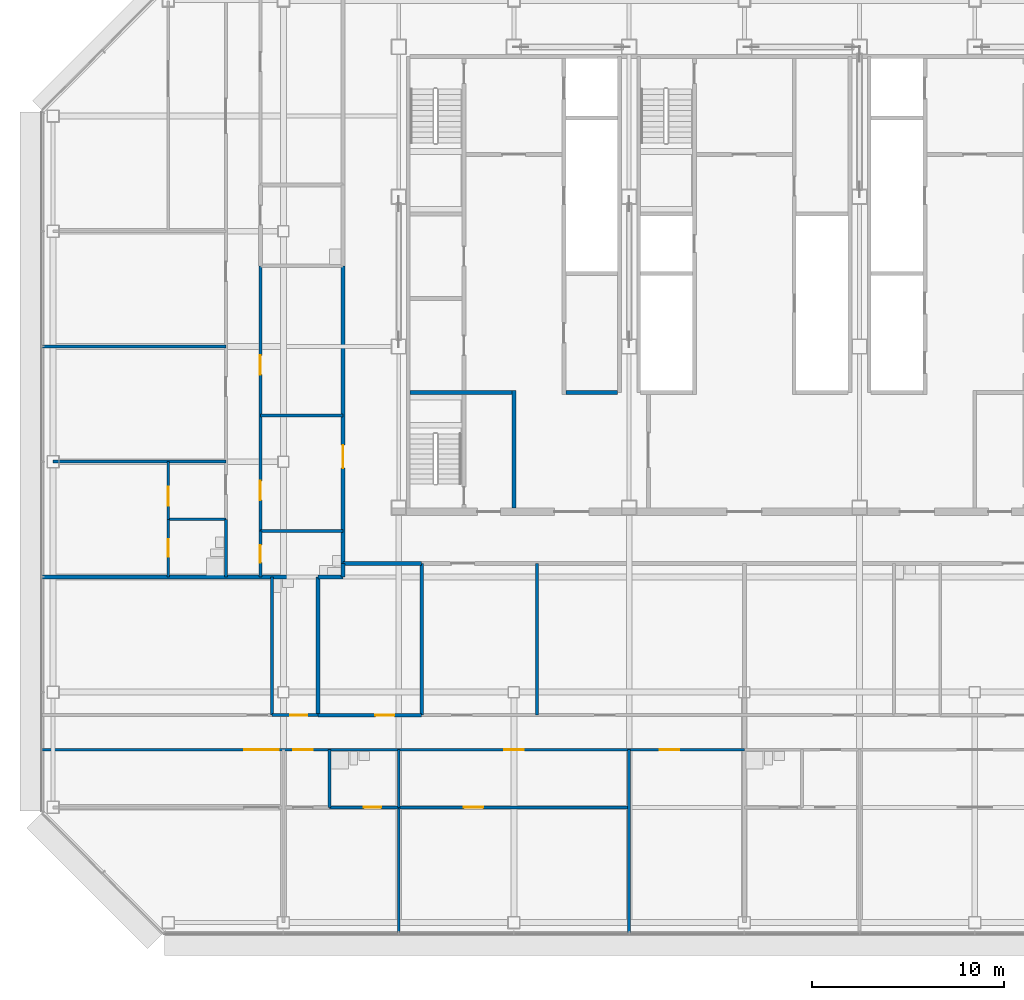
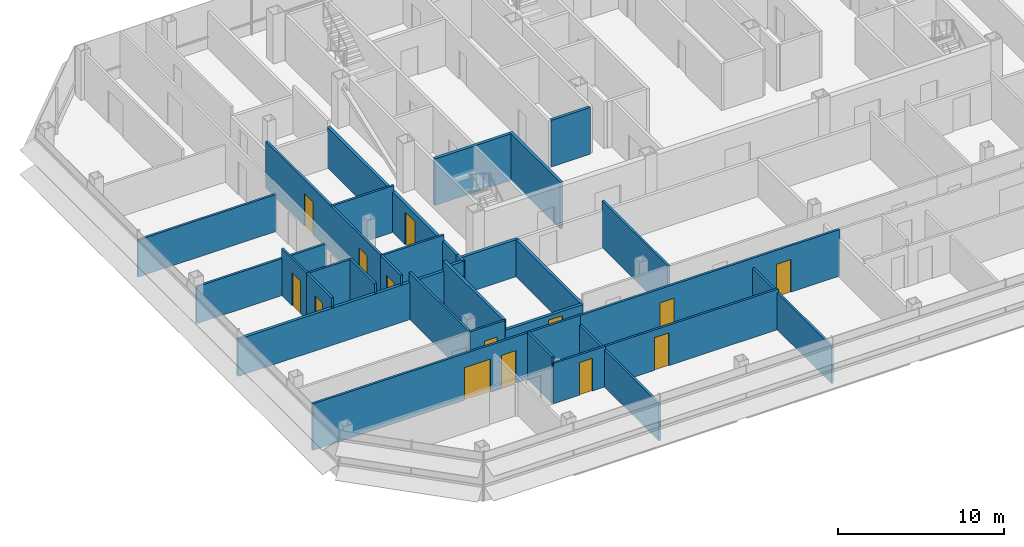
# One storey, part 20 of 26: 33 walls, 14 doors, 14 openings.
"""IFC4 building model written with IfcOpenShell, lengths in metres."""

from ifc_helpers import new_model, si_unit, direction, frame, frame_2d, origin, place, context, subcontext, project, spatial, rectangle, extrude, material, layer, layer_set, type_object, element, fill, save


model = new_model("IFC4")

# Units and contexts
model_context = context("Model", 3, precision=1e-05, world=origin(), true_north=direction((0.0, 1.0)))
body_context = subcontext(model_context, "Body", "Model", "MODEL_VIEW")
ifc_project = project(units=[si_unit("LENGTHUNIT", "METRE"), si_unit("AREAUNIT", "SQUARE_METRE"), si_unit("VOLUMEUNIT", "CUBIC_METRE"), si_unit("PLANEANGLEUNIT", "RADIAN"), si_unit("MASSUNIT", "GRAM", prefix="KILO")], contexts=[model_context])

# Site, building, storey
site_placement = place(None, origin())
site = spatial("IfcSite", under=ifc_project, at=site_placement, CompositionType="ELEMENT")
building_placement = place(site_placement, origin())
building = spatial("IfcBuilding", under=site, at=building_placement, Name="Sorahane Residences", CompositionType="ELEMENT")
storey_placement = place(building_placement, frame((0.0, 0.0, 215.39990234375)))
storey = spatial("IfcBuildingStorey", under=building, at=storey_placement, Name="L50", CompositionType="ELEMENT", Elevation=215.39990234375)

# Wall, opening, door
ifc_material_1 = material(Name="Concrete blockwork C20 wall", Category="masonry")
ifc_layer_1 = layer(ifc_material_1, 0.199951171875)
ifc_layer_set_1 = layer_set([ifc_layer_1], Name="Corridor wall 200 EI 120")
wall_type_1 = type_object("IfcWallType", Name="Corridor wall 200 EI 120", PredefinedType="SOLIDWALL", material=ifc_layer_set_1)
wall_1_placement = place(storey_placement, frame((3.10009765625, 18.699951171875, 0.0), z_axis=(0.0, 0.0, 1.0), x_axis=(0.0, 1.0, 0.0)))
wall_1 = element("IfcWall", 1, at=wall_1_placement, inside=storey, type_object=wall_type_1, Name="L50 corridor wall", PredefinedType="SOLIDWALL", context=body_context, shape_type="SweptSolid", body=[
    extrude(rectangle(XDim=15.5, YDim=0.199951171875, at=frame_2d((7.75, 0.0))), origin(), (0.0, 0.0, 1.0), 2.97021484375),
])
opening_1_placement = place(wall_1_placement, frame((4.9599609375, 0.0, 0.0)))
opening_1 = element("IfcOpeningElement", 2, at=opening_1_placement, cuts=wall_1, Name="Opening L50-40", PredefinedType="OPENING", context=body_context, shape_type="SweptSolid", body=[
    extrude(rectangle(XDim=1.199951171875, YDim=2.39990234375, at=frame_2d((0.60009765625, 1.199951171875))), frame((0.0, 0.10986328125, 0.0), z_axis=(0.0, -1.0, 0.0), x_axis=(1.0, 0.0, 0.0)), (0.0, 0.0, 1.0), 0.219970703125),
])
ifc_material_2 = material(Name="Timber veneered fire door", Category="wood")
door_type_1 = type_object("IfcDoorType", Name="Flat entrance door 1200x2400 FD60", OperationType="NOTDEFINED", PredefinedType="DOOR", material=ifc_material_2)
door_1_placement = place(opening_1_placement, origin())
door_1 = element("IfcDoor", 3, at=door_1_placement, inside=storey, type_object=door_type_1, Name="Flat entrance door L50-40", OperationType="SINGLE_SWING_LEFT", OverallHeight=2.39990234375, OverallWidth=1.199951171875, PredefinedType="DOOR", context=body_context, shape_type="SweptSolid", body=[
    extrude(rectangle(XDim=1.199951171875, YDim=2.39990234375, at=frame_2d((0.60009765625, 1.199951171875))), frame((0.0, 0.02490234375, 0.0), z_axis=(0.0, -1.0, 0.0), x_axis=(1.0, 0.0, 0.0)), (0.0, 0.0, 1.0), 0.050048828125),
])
fill(opening_1, door_1)

# Walls
ifc_material_3 = material(Name="Concrete C30", Category="concrete")
ifc_layer_2 = layer(ifc_material_3, 0.199951171875)
ifc_layer_set_2 = layer_set([ifc_layer_2], Name="Front room wall 200 EI 120")
wall_type_2 = type_object("IfcWallType", Name="Front room wall 200 EI 120", PredefinedType="PARTITIONING", material=ifc_layer_set_2)
wall_2_placement = place(storey_placement, frame((12.0, 21.60009765625, 0.0), z_axis=(0.0, 0.0, 1.0), x_axis=(0.0, 1.0, 0.0)))
element("IfcWall", 4, at=wall_2_placement, inside=storey, type_object=wall_type_2, Name="L50 front room wall", PredefinedType="PARTITIONING", context=body_context, shape_type="SweptSolid", body=[
    extrude(rectangle(XDim=6.099853515625, YDim=0.199951171875, at=frame_2d((3.0498046875, 0.0))), origin(), (0.0, 0.0, 1.0), 3.420166015625),
])
ifc_material_4 = material(Name="Concrete blockwork C20 wall", Category="masonry")
ifc_layer_3 = layer(ifc_material_4, 0.199951171875)
ifc_layer_set_3 = layer_set([ifc_layer_3], Name="Kitchen wall 200 EI 180")
wall_type_3 = type_object("IfcWallType", Name="Kitchen wall 200 EI 180", PredefinedType="SOLIDWALL", material=ifc_layer_set_3)
wall_3_placement = place(storey_placement, frame((1.800048828125, 10.800048828125, 0.0), z_axis=(0.0, 0.0, 1.0), x_axis=(0.0, 1.0, 0.0)))
element("IfcWall", 5, at=wall_3_placement, inside=storey, type_object=wall_type_3, Name="L50 kitchen wall", PredefinedType="SOLIDWALL", context=body_context, shape_type="SweptSolid", body=[
    extrude(rectangle(XDim=7.199951171875, YDim=0.199951171875, at=frame_2d((3.60009765625, 0.0))), origin(), (0.0, 0.0, 1.0), 3.420166015625),
])
wall_4_placement = place(storey_placement, frame((3.10009765625, 18.0, 0.0), z_axis=(0.0, 0.0, 1.0), x_axis=(0.0, 1.0, 0.0)))
element("IfcWall", 6, at=wall_4_placement, inside=storey, type_object=wall_type_3, Name="L50 kitchen wall", PredefinedType="SOLIDWALL", context=body_context, shape_type="SweptSolid", body=[
    extrude(rectangle(XDim=0.699951171875, YDim=0.199951171875, at=frame_2d((0.35009765625, 0.0))), origin(), (0.0, 0.0, 1.0), 2.97021484375),
])
wall_5_placement = place(storey_placement, frame((7.199951171875, 10.800048828125, 0.0), z_axis=(0.0, 0.0, 1.0), x_axis=(0.0, 1.0, 0.0)))
element("IfcWall", 7, at=wall_5_placement, inside=storey, type_object=wall_type_3, Name="L50 kitchen wall", PredefinedType="SOLIDWALL", context=body_context, shape_type="SweptSolid", body=[
    extrude(rectangle(XDim=7.89990234375, YDim=0.199951171875, at=frame_2d((3.949951171875, 0.0))), origin(), (0.0, 0.0, 1.0), 2.72021484375),
])

# Wall, opening, door
wall_6_placement = place(storey_placement, frame((1.800048828125, 10.800048828125, 0.0), z_axis=(0.0, 0.0, 1.0), x_axis=(1.0, 0.0, 0.0)))
wall_6 = element("IfcWall", 8, at=wall_6_placement, inside=storey, type_object=wall_type_3, Name="L50 kitchen wall", PredefinedType="SOLIDWALL", context=body_context, shape_type="SweptSolid", body=[
    extrude(rectangle(XDim=5.39990234375, YDim=0.199951171875, at=frame_2d((2.699951171875, 0.0))), origin(), (0.0, 0.0, 1.0), 2.72021484375),
])
opening_2_placement = place(wall_6_placement, frame((2.97998046875, 0.0, 0.0)))
opening_2 = element("IfcOpeningElement", 9, at=opening_2_placement, cuts=wall_6, Name="Opening L50-04", PredefinedType="OPENING", context=body_context, shape_type="SweptSolid", body=[
    extrude(rectangle(XDim=1.0, YDim=2.39990234375, at=frame_2d((0.5, 1.199951171875))), frame((0.0, 0.10986328125, 0.0), z_axis=(0.0, -1.0, 0.0), x_axis=(1.0, 0.0, 0.0)), (0.0, 0.0, 1.0), 0.219970703125),
])
ifc_material_5 = material(Name="Steel", Category="steel")
door_type_2 = type_object("IfcDoorType", Name="Kitchen door 1000x2400 FD120", OperationType="NOTDEFINED", PredefinedType="DOOR", material=ifc_material_5)
door_2_placement = place(opening_2_placement, origin())
door_2 = element("IfcDoor", 10, at=door_2_placement, inside=storey, type_object=door_type_2, Name="Kitchen door L50-04", OperationType="SINGLE_SWING_RIGHT", OverallHeight=2.39990234375, OverallWidth=1.0, PredefinedType="DOOR", context=body_context, shape_type="SweptSolid", body=[
    extrude(rectangle(XDim=1.0, YDim=2.39990234375, at=frame_2d((0.5, 1.199951171875))), frame((0.0, 0.02490234375, 0.0), z_axis=(0.0, -1.0, 0.0), x_axis=(1.0, 0.0, 0.0)), (0.0, 0.0, 1.0), 0.050048828125),
])
fill(opening_2, door_2)

# Walls
wall_7_placement = place(storey_placement, frame((1.800048828125, 18.0, 0.0), z_axis=(0.0, 0.0, 1.0), x_axis=(1.0, 0.0, 0.0)))
element("IfcWall", 11, at=wall_7_placement, inside=storey, type_object=wall_type_3, Name="L50 kitchen wall", PredefinedType="SOLIDWALL", context=body_context, shape_type="SweptSolid", body=[
    extrude(rectangle(XDim=1.300048828125, YDim=0.199951171875, at=frame_2d((0.64990234375, 0.0))), origin(), (0.0, 0.0, 1.0), 2.97021484375),
])
wall_8_placement = place(storey_placement, frame((3.10009765625, 18.699951171875, 0.0), z_axis=(0.0, 0.0, 1.0), x_axis=(1.0, 0.0, 0.0)))
element("IfcWall", 12, at=wall_8_placement, inside=storey, type_object=wall_type_3, Name="L50 kitchen wall", PredefinedType="SOLIDWALL", context=body_context, shape_type="SweptSolid", body=[
    extrude(rectangle(XDim=4.099853515625, YDim=0.199951171875, at=frame_2d((2.0498046875, 0.0))), origin(), (0.0, 0.0, 1.0), 2.72021484375),
])

# Wall, openings, doors
ifc_material_6 = material(Name="Gypsum board partition on steel studs", Category="steel")
ifc_layer_4 = layer(ifc_material_6, 0.14990234375)
ifc_layer_set_4 = layer_set([ifc_layer_4], Name="Partition 150 EI 90")
wall_type_4 = type_object("IfcWallType", Name="Partition 150 EI 90", PredefinedType="PARTITIONING", material=ifc_layer_set_4)
wall_9_placement = place(storey_placement, frame((-1.199951171875, 20.39990234375, 0.0), z_axis=(0.0, 0.0, 1.0), x_axis=(0.0, 1.0, 0.0)))
wall_9 = element("IfcWall", 13, at=wall_9_placement, inside=storey, type_object=wall_type_4, Name="L50 partition", PredefinedType="PARTITIONING", context=body_context, shape_type="SweptSolid", body=[
    extrude(rectangle(XDim=13.800048828125, YDim=0.14990234375, at=frame_2d((6.89990234375, 0.0))), origin(), (0.0, 0.0, 1.0), 3.420166015625),
])
opening_3_placement = place(wall_9_placement, frame((1.60009765625, 0.0, 0.0)))
opening_3 = element("IfcOpeningElement", 14, at=opening_3_placement, cuts=wall_9, Name="Opening L50-26", PredefinedType="OPENING", context=body_context, shape_type="SweptSolid", body=[
    extrude(rectangle(XDim=1.0, YDim=2.39990234375, at=frame_2d((0.5, 1.199951171875))), frame((0.0, 0.0849609375, 0.0), z_axis=(0.0, -1.0, 0.0), x_axis=(1.0, 0.0, 0.0)), (0.0, 0.0, 1.0), 0.169921875),
])
opening_4_placement = place(wall_9_placement, frame((8.139892578125, 0.0, 0.0)))
opening_4 = element("IfcOpeningElement", 15, at=opening_4_placement, cuts=wall_9, Name="Opening L50-28", PredefinedType="OPENING", context=body_context, shape_type="SweptSolid", body=[
    extrude(rectangle(XDim=1.0, YDim=2.39990234375, at=frame_2d((0.5, 1.199951171875))), frame((0.0, 0.0849609375, 0.0), z_axis=(0.0, -1.0, 0.0), x_axis=(1.0, 0.0, 0.0)), (0.0, 0.0, 1.0), 0.169921875),
])
ifc_material_7 = material(Name="Timber veneered fire door", Category="wood")
door_type_3 = type_object("IfcDoorType", Name="Room door 1000x2400 FD30", OperationType="NOTDEFINED", PredefinedType="DOOR", material=ifc_material_7)
door_3_placement = place(opening_3_placement, origin())
door_3 = element("IfcDoor", 16, at=door_3_placement, inside=storey, type_object=door_type_3, Name="Room door L50-26", OperationType="SINGLE_SWING_RIGHT", OverallHeight=2.39990234375, OverallWidth=1.0, PredefinedType="DOOR", context=body_context, shape_type="SweptSolid", body=[
    extrude(rectangle(XDim=1.0, YDim=2.39990234375, at=frame_2d((0.5, 1.199951171875))), frame((0.0, 0.02490234375, 0.0), z_axis=(0.0, -1.0, 0.0), x_axis=(1.0, 0.0, 0.0)), (0.0, 0.0, 1.0), 0.050048828125),
])
fill(opening_3, door_3)
door_4_placement = place(opening_4_placement, frame((1.0, 0.0, 0.0), z_axis=(0.0, 0.0, 1.0), x_axis=(-1.0, 0.0, 0.0)))
door_4 = element("IfcDoor", 17, at=door_4_placement, inside=storey, type_object=door_type_3, Name="Room door L50-28", OperationType="SINGLE_SWING_RIGHT", OverallHeight=2.39990234375, OverallWidth=1.0, PredefinedType="DOOR", context=body_context, shape_type="SweptSolid", body=[
    extrude(rectangle(XDim=1.0, YDim=2.39990234375, at=frame_2d((0.5, 1.199951171875))), frame((0.0, 0.02490234375, 0.0), z_axis=(0.0, -1.0, 0.0), x_axis=(1.0, 0.0, 0.0)), (0.0, 0.0, 1.0), 0.050048828125),
])
fill(opening_4, door_4)

# Wall, opening, door
wall_10_placement = place(storey_placement, frame((-6.0, 21.0, 0.0), z_axis=(0.0, 0.0, 1.0), x_axis=(0.0, 1.0, 0.0)))
wall_10 = element("IfcWall", 18, at=wall_10_placement, inside=storey, type_object=wall_type_4, Name="L50 partition", PredefinedType="PARTITIONING", context=body_context, shape_type="SweptSolid", body=[
    extrude(rectangle(XDim=3.0, YDim=0.14990234375, at=frame_2d((1.5, 0.0))), origin(), (0.0, 0.0, 1.0), 3.420166015625),
])
opening_5_placement = place(wall_10_placement, frame((0.699951171875, 0.0, 0.0)))
opening_5 = element("IfcOpeningElement", 19, at=opening_5_placement, cuts=wall_10, Name="Opening L50-35", PredefinedType="OPENING", context=body_context, shape_type="SweptSolid", body=[
    extrude(rectangle(XDim=1.0, YDim=2.39990234375, at=frame_2d((0.5, 1.199951171875))), frame((0.0, 0.0849609375, 0.0), z_axis=(0.0, -1.0, 0.0), x_axis=(1.0, 0.0, 0.0)), (0.0, 0.0, 1.0), 0.169921875),
])
door_5_placement = place(opening_5_placement, origin())
door_5 = element("IfcDoor", 20, at=door_5_placement, inside=storey, type_object=door_type_3, Name="Room door L50-35", OperationType="SINGLE_SWING_RIGHT", OverallHeight=2.39990234375, OverallWidth=1.0, PredefinedType="DOOR", context=body_context, shape_type="SweptSolid", body=[
    extrude(rectangle(XDim=1.0, YDim=2.39990234375, at=frame_2d((0.5, 1.199951171875))), frame((0.0, 0.02490234375, 0.0), z_axis=(0.0, -1.0, 0.0), x_axis=(1.0, 0.0, 0.0)), (0.0, 0.0, 1.0), 0.050048828125),
])
fill(opening_5, door_5)

# Walls
wall_11_placement = place(storey_placement, frame((13.199951171875, 10.800048828125, 0.0), z_axis=(0.0, 0.0, 1.0), x_axis=(0.0, 1.0, 0.0)))
element("IfcWall", 21, at=wall_11_placement, inside=storey, type_object=wall_type_4, Name="L50 partition", PredefinedType="PARTITIONING", context=body_context, shape_type="SweptSolid", body=[
    extrude(rectangle(XDim=7.89990234375, YDim=0.14990234375, at=frame_2d((3.949951171875, 0.0))), origin(), (0.0, 0.0, 1.0), 3.420166015625),
])
wall_12_placement = place(storey_placement, frame((18.0, -0.60009765625, 0.0), z_axis=(0.0, 0.0, 1.0), x_axis=(0.0, 1.0, 0.0)))
element("IfcWall", 22, at=wall_12_placement, inside=storey, type_object=wall_type_4, Name="L50 partition", PredefinedType="PARTITIONING", context=body_context, shape_type="SweptSolid", body=[
    extrude(rectangle(XDim=9.60009765625, YDim=0.14990234375, at=frame_2d((4.800048828125, 0.0))), origin(), (0.0, 0.0, 1.0), 2.72021484375),
])
wall_13_placement = place(storey_placement, frame((6.0, -0.60009765625, 0.0), z_axis=(0.0, 0.0, 1.0), x_axis=(0.0, 1.0, 0.0)))
element("IfcWall", 23, at=wall_13_placement, inside=storey, type_object=wall_type_4, Name="L50 partition", PredefinedType="PARTITIONING", context=body_context, shape_type="SweptSolid", body=[
    extrude(rectangle(XDim=6.60009765625, YDim=0.14990234375, at=frame_2d((3.300048828125, 0.0))), origin(), (0.0, 0.0, 1.0), 2.72021484375),
])
wall_14_placement = place(storey_placement, frame((-12.0, 24.0, 0.0), z_axis=(0.0, 0.0, 1.0), x_axis=(1.0, 0.0, 0.0)))
element("IfcWall", 24, at=wall_14_placement, inside=storey, type_object=wall_type_4, Name="L50 partition", PredefinedType="PARTITIONING", context=body_context, shape_type="SweptSolid", body=[
    extrude(rectangle(XDim=9.0, YDim=0.14990234375, at=frame_2d((4.5, 0.0))), origin(), (0.0, 0.0, 1.0), 2.72021484375),
])
wall_15_placement = place(storey_placement, frame((-1.199951171875, 26.39990234375, 0.0), z_axis=(0.0, 0.0, 1.0), x_axis=(1.0, 0.0, 0.0)))
element("IfcWall", 25, at=wall_15_placement, inside=storey, type_object=wall_type_4, Name="L50 partition", PredefinedType="PARTITIONING", context=body_context, shape_type="SweptSolid", body=[
    extrude(rectangle(XDim=4.300048828125, YDim=0.14990234375, at=frame_2d((2.14990234375, 0.0))), origin(), (0.0, 0.0, 1.0), 3.420166015625),
])
wall_16_placement = place(storey_placement, frame((-12.60009765625, 30.0, 0.0), z_axis=(0.0, 0.0, 1.0), x_axis=(1.0, 0.0, 0.0)))
element("IfcWall", 26, at=wall_16_placement, inside=storey, type_object=wall_type_4, Name="L50 partition", PredefinedType="PARTITIONING", context=body_context, shape_type="SweptSolid", body=[
    extrude(rectangle(XDim=9.60009765625, YDim=0.14990234375, at=frame_2d((4.800048828125, 0.0))), origin(), (0.0, 0.0, 1.0), 2.72021484375),
])

# Wall, opening, door
wall_17_placement = place(storey_placement, frame((6.0, 6.0, 0.0), z_axis=(0.0, 0.0, 1.0), x_axis=(1.0, 0.0, 0.0)))
wall_17 = element("IfcWall", 27, at=wall_17_placement, inside=storey, type_object=wall_type_4, Name="L50 partition", PredefinedType="PARTITIONING", context=body_context, shape_type="SweptSolid", body=[
    extrude(rectangle(XDim=12.0, YDim=0.14990234375, at=frame_2d((6.0, 0.0))), origin(), (0.0, 0.0, 1.0), 2.97021484375),
])
opening_6_placement = place(wall_17_placement, frame((3.39990234375, 0.0, 0.0)))
opening_6 = element("IfcOpeningElement", 28, at=opening_6_placement, cuts=wall_17, Name="Opening L50-13", PredefinedType="OPENING", context=body_context, shape_type="SweptSolid", body=[
    extrude(rectangle(XDim=1.0, YDim=2.39990234375, at=frame_2d((0.5, 1.199951171875))), frame((0.0, 0.0849609375, 0.0), z_axis=(0.0, -1.0, 0.0), x_axis=(1.0, 0.0, 0.0)), (0.0, 0.0, 1.0), 0.169921875),
])
door_6_placement = place(opening_6_placement, frame((1.0, 0.0, 0.0), z_axis=(0.0, 0.0, 1.0), x_axis=(-1.0, 0.0, 0.0)))
door_6 = element("IfcDoor", 29, at=door_6_placement, inside=storey, type_object=door_type_3, Name="Room door L50-13", OperationType="SINGLE_SWING_RIGHT", OverallHeight=2.39990234375, OverallWidth=1.0, PredefinedType="DOOR", context=body_context, shape_type="SweptSolid", body=[
    extrude(rectangle(XDim=1.0, YDim=2.39990234375, at=frame_2d((0.5, 1.199951171875))), frame((0.0, 0.02490234375, 0.0), z_axis=(0.0, -1.0, 0.0), x_axis=(1.0, 0.0, 0.0)), (0.0, 0.0, 1.0), 0.050048828125),
])
fill(opening_6, door_6)

# Wall, openings, doors
wall_18_placement = place(storey_placement, frame((-12.60009765625, 9.0, 0.0), z_axis=(0.0, 0.0, 1.0), x_axis=(1.0, 0.0, 0.0)))
wall_18 = element("IfcWall", 30, at=wall_18_placement, inside=storey, type_object=wall_type_4, Name="L50 partition", PredefinedType="PARTITIONING", context=body_context, shape_type="SweptSolid", body=[
    extrude(rectangle(XDim=15.0, YDim=0.14990234375, at=frame_2d((7.5, 0.0))), origin(), (0.0, 0.0, 1.0), 3.420166015625),
])
opening_7_placement = place(wall_18_placement, frame((10.550048828125, 0.0, 0.0)))
opening_7 = element("IfcOpeningElement", 31, at=opening_7_placement, cuts=wall_18, Name="Opening L50-06", PredefinedType="OPENING", context=body_context, shape_type="SweptSolid", body=[
    extrude(rectangle(XDim=1.800048828125, YDim=2.39990234375, at=frame_2d((0.89990234375, 1.199951171875))), frame((0.0, 0.0849609375, 0.0), z_axis=(0.0, -1.0, 0.0), x_axis=(1.0, 0.0, 0.0)), (0.0, 0.0, 1.0), 0.169921875),
])
opening_8_placement = place(wall_18_placement, frame((13.1201171875, 0.0, 0.0)))
opening_8 = element("IfcOpeningElement", 32, at=opening_8_placement, cuts=wall_18, Name="Opening L50-07", PredefinedType="OPENING", context=body_context, shape_type="SweptSolid", body=[
    extrude(rectangle(XDim=1.0, YDim=2.39990234375, at=frame_2d((0.5, 1.199951171875))), frame((0.0, 0.0849609375, 0.0), z_axis=(0.0, -1.0, 0.0), x_axis=(1.0, 0.0, 0.0)), (0.0, 0.0, 1.0), 0.169921875),
])
ifc_material_8 = material(Name="Timber veneered fire door", Category="wood")
door_type_4 = type_object("IfcDoorType", Name="Double door 1800x2400 FD30", OperationType="NOTDEFINED", PredefinedType="DOOR", material=ifc_material_8)
door_7_placement = place(opening_7_placement, frame((1.800048828125, 0.0, 0.0), z_axis=(0.0, 0.0, 1.0), x_axis=(-1.0, 0.0, 0.0)))
door_7 = element("IfcDoor", 33, at=door_7_placement, inside=storey, type_object=door_type_4, Name="Double door L50-06", OperationType="SINGLE_SWING_LEFT", OverallHeight=2.39990234375, OverallWidth=1.800048828125, PredefinedType="DOOR", context=body_context, shape_type="SweptSolid", body=[
    extrude(rectangle(XDim=1.800048828125, YDim=2.39990234375, at=frame_2d((0.89990234375, 1.199951171875))), frame((0.0, 0.02490234375, 0.0), z_axis=(0.0, -1.0, 0.0), x_axis=(1.0, 0.0, 0.0)), (0.0, 0.0, 1.0), 0.050048828125),
])
fill(opening_7, door_7)
door_8_placement = place(opening_8_placement, frame((1.0, 0.0, 0.0), z_axis=(0.0, 0.0, 1.0), x_axis=(-1.0, 0.0, 0.0)))
door_8 = element("IfcDoor", 34, at=door_8_placement, inside=storey, type_object=door_type_3, Name="Room door L50-07", OperationType="SINGLE_SWING_LEFT", OverallHeight=2.39990234375, OverallWidth=1.0, PredefinedType="DOOR", context=body_context, shape_type="SweptSolid", body=[
    extrude(rectangle(XDim=1.0, YDim=2.39990234375, at=frame_2d((0.5, 1.199951171875))), frame((0.0, 0.02490234375, 0.0), z_axis=(0.0, -1.0, 0.0), x_axis=(1.0, 0.0, 0.0)), (0.0, 0.0, 1.0), 0.050048828125),
])
fill(opening_8, door_8)

wall_19_placement = place(storey_placement, frame((6.0, 9.0, 0.0), z_axis=(0.0, 0.0, 1.0), x_axis=(1.0, 0.0, 0.0)))
wall_19 = element("IfcWall", 35, at=wall_19_placement, inside=storey, type_object=wall_type_4, Name="L50 partition", PredefinedType="PARTITIONING", context=body_context, shape_type="SweptSolid", body=[
    extrude(rectangle(XDim=18.0, YDim=0.14990234375, at=frame_2d((9.0, 0.0))), origin(), (0.0, 0.0, 1.0), 3.420166015625),
])
opening_9_placement = place(wall_19_placement, frame((5.5, 0.0, 0.0)))
opening_9 = element("IfcOpeningElement", 36, at=opening_9_placement, cuts=wall_19, Name="Opening L50-08", PredefinedType="OPENING", context=body_context, shape_type="SweptSolid", body=[
    extrude(rectangle(XDim=1.0, YDim=2.39990234375, at=frame_2d((0.5, 1.199951171875))), frame((0.0, 0.0849609375, 0.0), z_axis=(0.0, -1.0, 0.0), x_axis=(1.0, 0.0, 0.0)), (0.0, 0.0, 1.0), 0.169921875),
])
opening_10_placement = place(wall_19_placement, frame((13.60009765625, 0.0, 0.0)))
opening_10 = element("IfcOpeningElement", 37, at=opening_10_placement, cuts=wall_19, Name="Opening L50-09", PredefinedType="OPENING", context=body_context, shape_type="SweptSolid", body=[
    extrude(rectangle(XDim=1.0, YDim=2.39990234375, at=frame_2d((0.5, 1.199951171875))), frame((0.0, 0.0849609375, 0.0), z_axis=(0.0, -1.0, 0.0), x_axis=(1.0, 0.0, 0.0)), (0.0, 0.0, 1.0), 0.169921875),
])
door_9_placement = place(opening_9_placement, frame((1.0, 0.0, 0.0), z_axis=(0.0, 0.0, 1.0), x_axis=(-1.0, 0.0, 0.0)))
door_9 = element("IfcDoor", 38, at=door_9_placement, inside=storey, type_object=door_type_3, Name="Room door L50-08", OperationType="SINGLE_SWING_LEFT", OverallHeight=2.39990234375, OverallWidth=1.0, PredefinedType="DOOR", context=body_context, shape_type="SweptSolid", body=[
    extrude(rectangle(XDim=1.0, YDim=2.39990234375, at=frame_2d((0.5, 1.199951171875))), frame((0.0, 0.02490234375, 0.0), z_axis=(0.0, -1.0, 0.0), x_axis=(1.0, 0.0, 0.0)), (0.0, 0.0, 1.0), 0.050048828125),
])
fill(opening_9, door_9)
door_10_placement = place(opening_10_placement, frame((1.0, 0.0, 0.0), z_axis=(0.0, 0.0, 1.0), x_axis=(-1.0, 0.0, 0.0)))
door_10 = element("IfcDoor", 39, at=door_10_placement, inside=storey, type_object=door_type_3, Name="Room door L50-09", OperationType="SINGLE_SWING_LEFT", OverallHeight=2.39990234375, OverallWidth=1.0, PredefinedType="DOOR", context=body_context, shape_type="SweptSolid", body=[
    extrude(rectangle(XDim=1.0, YDim=2.39990234375, at=frame_2d((0.5, 1.199951171875))), frame((0.0, 0.02490234375, 0.0), z_axis=(0.0, -1.0, 0.0), x_axis=(1.0, 0.0, 0.0)), (0.0, 0.0, 1.0), 0.050048828125),
])
fill(opening_10, door_10)

# Walls
ifc_material_9 = material(Name="Concrete blockwork C20 wall", Category="masonry")
ifc_layer_5 = layer(ifc_material_9, 0.199951171875)
ifc_layer_set_5 = layer_set([ifc_layer_5], Name="Party wall 200 EI 120")
wall_type_5 = type_object("IfcWallType", Name="Party wall 200 EI 120", PredefinedType="SOLIDWALL", material=ifc_layer_set_5)
wall_20_placement = place(storey_placement, frame((-12.60009765625, 18.0, 0.0), z_axis=(0.0, 0.0, 1.0), x_axis=(1.0, 0.0, 0.0)))
element("IfcWall", 40, at=wall_20_placement, inside=storey, type_object=wall_type_5, Name="L50 party wall", PredefinedType="SOLIDWALL", context=body_context, shape_type="SweptSolid", body=[
    extrude(rectangle(XDim=14.400146484375, YDim=0.199951171875, at=frame_2d((7.2001953125, 0.0))), origin(), (0.0, 0.0, 1.0), 2.72021484375),
])
ifc_material_10 = material(Name="Concrete C30", Category="concrete")
ifc_layer_6 = layer(ifc_material_10, 0.199951171875)
ifc_layer_set_6 = layer_set([ifc_layer_6], Name="Service room partition 200 EI 60")
wall_type_6 = type_object("IfcWallType", Name="Service room partition 200 EI 60", PredefinedType="PARTITIONING", material=ifc_layer_set_6)
wall_21_placement = place(storey_placement, frame((14.699951171875, 27.60009765625, 0.0), z_axis=(0.0, 0.0, 1.0), x_axis=(1.0, 0.0, 0.0)))
element("IfcWall", 41, at=wall_21_placement, inside=storey, type_object=wall_type_6, Name="L50 service room wall", PredefinedType="PARTITIONING", context=body_context, shape_type="SweptSolid", body=[
    extrude(rectangle(XDim=2.699951171875, YDim=0.199951171875, at=frame_2d((1.35009765625, 0.0))), origin(), (0.0, 0.0, 1.0), 3.420166015625),
])
ifc_material_11 = material(Name="Concrete C30", Category="concrete")
ifc_layer_7 = layer(ifc_material_11, 0.199951171875)
ifc_layer_set_7 = layer_set([ifc_layer_7], Name="Stair enclosure wall 200 EI 120")
wall_type_7 = type_object("IfcWallType", Name="Stair enclosure wall 200 EI 120", PredefinedType="SOLIDWALL", material=ifc_layer_set_7)
wall_22_placement = place(storey_placement, frame((6.60009765625, 27.60009765625, 0.0), z_axis=(0.0, 0.0, 1.0), x_axis=(1.0, 0.0, 0.0)))
element("IfcWall", 42, at=wall_22_placement, inside=storey, type_object=wall_type_7, Name="L50 stair enclosure wall", PredefinedType="SOLIDWALL", context=body_context, shape_type="SweptSolid", body=[
    extrude(rectangle(XDim=5.2998046875, YDim=0.199951171875, at=frame_2d((2.64990234375, 0.0))), origin(), (0.0, 0.0, 1.0), 3.420166015625),
])
ifc_material_12 = material(Name="Gypsum board partition on steel studs", Category="steel")
ifc_layer_8 = layer(ifc_material_12, 0.14990234375)
ifc_layer_set_8 = layer_set([ifc_layer_8], Name="Wet wall 150 EI 90")
wall_type_8 = type_object("IfcWallType", Name="Wet wall 150 EI 90", PredefinedType="PARTITIONING", material=ifc_layer_set_8)
wall_23_placement = place(storey_placement, frame((-0.60009765625, 10.800048828125, 0.0), z_axis=(0.0, 0.0, 1.0), x_axis=(0.0, 1.0, 0.0)))
element("IfcWall", 43, at=wall_23_placement, inside=storey, type_object=wall_type_8, Name="L50 wet wall", PredefinedType="PARTITIONING", context=body_context, shape_type="SweptSolid", body=[
    extrude(rectangle(XDim=7.199951171875, YDim=0.14990234375, at=frame_2d((3.60009765625, 0.0))), origin(), (0.0, 0.0, 1.0), 3.420166015625),
])

# Wall, opening, door
wall_24_placement = place(storey_placement, frame((-1.199951171875, 18.0, 0.0), z_axis=(0.0, 0.0, 1.0), x_axis=(0.0, 1.0, 0.0)))
wall_24 = element("IfcWall", 44, at=wall_24_placement, inside=storey, type_object=wall_type_8, Name="L50 wet wall", PredefinedType="PARTITIONING", context=body_context, shape_type="SweptSolid", body=[
    extrude(rectangle(XDim=2.39990234375, YDim=0.14990234375, at=frame_2d((1.199951171875, 0.0))), origin(), (0.0, 0.0, 1.0), 3.420166015625),
])
opening_11_placement = place(wall_24_placement, frame((0.75, 0.0, 0.0)))
opening_11 = element("IfcOpeningElement", 45, at=opening_11_placement, cuts=wall_24, Name="Opening L50-27", PredefinedType="OPENING", context=body_context, shape_type="SweptSolid", body=[
    extrude(rectangle(XDim=0.89990234375, YDim=2.39990234375, at=frame_2d((0.449951171875, 1.199951171875))), frame((0.0, 0.0849609375, 0.0), z_axis=(0.0, -1.0, 0.0), x_axis=(1.0, 0.0, 0.0)), (0.0, 0.0, 1.0), 0.169921875),
])
ifc_material_13 = material(Name="Timber veneered fire door", Category="wood")
door_type_5 = type_object("IfcDoorType", Name="Bathroom door 900x2400 FD30", OperationType="NOTDEFINED", PredefinedType="DOOR", material=ifc_material_13)
door_11_placement = place(opening_11_placement, origin())
door_11 = element("IfcDoor", 46, at=door_11_placement, inside=storey, type_object=door_type_5, Name="Bathroom door L50-27", OperationType="SINGLE_SWING_RIGHT", OverallHeight=2.39990234375, OverallWidth=0.89990234375, PredefinedType="DOOR", context=body_context, shape_type="SweptSolid", body=[
    extrude(rectangle(XDim=0.89990234375, YDim=2.39990234375, at=frame_2d((0.449951171875, 1.199951171875))), frame((0.0, 0.02490234375, 0.0), z_axis=(0.0, -1.0, 0.0), x_axis=(1.0, 0.0, 0.0)), (0.0, 0.0, 1.0), 0.050048828125),
])
fill(opening_11, door_11)

# Wall
wall_25_placement = place(storey_placement, frame((-3.0, 18.0, 0.0), z_axis=(0.0, 0.0, 1.0), x_axis=(0.0, 1.0, 0.0)))
element("IfcWall", 47, at=wall_25_placement, inside=storey, type_object=wall_type_8, Name="L50 wet wall", PredefinedType="PARTITIONING", context=body_context, shape_type="SweptSolid", body=[
    extrude(rectangle(XDim=3.0, YDim=0.14990234375, at=frame_2d((1.5, 0.0))), origin(), (0.0, 0.0, 1.0), 3.420166015625),
])

# Wall, opening, door
wall_26_placement = place(storey_placement, frame((-6.0, 18.0, 0.0), z_axis=(0.0, 0.0, 1.0), x_axis=(0.0, 1.0, 0.0)))
wall_26 = element("IfcWall", 48, at=wall_26_placement, inside=storey, type_object=wall_type_8, Name="L50 wet wall", PredefinedType="PARTITIONING", context=body_context, shape_type="SweptSolid", body=[
    extrude(rectangle(XDim=3.0, YDim=0.14990234375, at=frame_2d((1.5, 0.0))), origin(), (0.0, 0.0, 1.0), 3.420166015625),
])
opening_12_placement = place(wall_26_placement, frame((1.050048828125, 0.0, 0.0)))
opening_12 = element("IfcOpeningElement", 49, at=opening_12_placement, cuts=wall_26, Name="Opening L50-36", PredefinedType="OPENING", context=body_context, shape_type="SweptSolid", body=[
    extrude(rectangle(XDim=0.89990234375, YDim=2.39990234375, at=frame_2d((0.449951171875, 1.199951171875))), frame((0.0, 0.0849609375, 0.0), z_axis=(0.0, -1.0, 0.0), x_axis=(1.0, 0.0, 0.0)), (0.0, 0.0, 1.0), 0.169921875),
])
door_12_placement = place(opening_12_placement, origin())
door_12 = element("IfcDoor", 50, at=door_12_placement, inside=storey, type_object=door_type_5, Name="Bathroom door L50-36", OperationType="SINGLE_SWING_LEFT", OverallHeight=2.39990234375, OverallWidth=0.89990234375, PredefinedType="DOOR", context=body_context, shape_type="SweptSolid", body=[
    extrude(rectangle(XDim=0.89990234375, YDim=2.39990234375, at=frame_2d((0.449951171875, 1.199951171875))), frame((0.0, 0.02490234375, 0.0), z_axis=(0.0, -1.0, 0.0), x_axis=(1.0, 0.0, 0.0)), (0.0, 0.0, 1.0), 0.050048828125),
])
fill(opening_12, door_12)

# Walls
wall_27_placement = place(storey_placement, frame((2.39990234375, 6.0, 0.0), z_axis=(0.0, 0.0, 1.0), x_axis=(0.0, 1.0, 0.0)))
element("IfcWall", 51, at=wall_27_placement, inside=storey, type_object=wall_type_8, Name="L50 wet wall", PredefinedType="PARTITIONING", context=body_context, shape_type="SweptSolid", body=[
    extrude(rectangle(XDim=3.0, YDim=0.14990234375, at=frame_2d((1.5, 0.0))), origin(), (0.0, 0.0, 1.0), 3.420166015625),
])
wall_28_placement = place(storey_placement, frame((6.0, 6.0, 0.0), z_axis=(0.0, 0.0, 1.0), x_axis=(0.0, 1.0, 0.0)))
element("IfcWall", 52, at=wall_28_placement, inside=storey, type_object=wall_type_8, Name="L50 wet wall", PredefinedType="PARTITIONING", context=body_context, shape_type="SweptSolid", body=[
    extrude(rectangle(XDim=3.0, YDim=0.14990234375, at=frame_2d((1.5, 0.0))), origin(), (0.0, 0.0, 1.0), 2.72021484375),
])

# Wall, opening, door
wall_29_placement = place(storey_placement, frame((-0.60009765625, 10.800048828125, 0.0), z_axis=(0.0, 0.0, 1.0), x_axis=(1.0, 0.0, 0.0)))
wall_29 = element("IfcWall", 53, at=wall_29_placement, inside=storey, type_object=wall_type_8, Name="L50 wet wall", PredefinedType="PARTITIONING", context=body_context, shape_type="SweptSolid", body=[
    extrude(rectangle(XDim=2.400146484375, YDim=0.14990234375, at=frame_2d((1.2001953125, 0.0))), origin(), (0.0, 0.0, 1.0), 3.420166015625),
])
opening_13_placement = place(wall_29_placement, frame((0.949951171875, 0.0, 0.0)))
opening_13 = element("IfcOpeningElement", 54, at=opening_13_placement, cuts=wall_29, Name="Opening L50-03", PredefinedType="OPENING", context=body_context, shape_type="SweptSolid", body=[
    extrude(rectangle(XDim=0.89990234375, YDim=2.39990234375, at=frame_2d((0.449951171875, 1.199951171875))), frame((0.0, 0.0849609375, 0.0), z_axis=(0.0, -1.0, 0.0), x_axis=(1.0, 0.0, 0.0)), (0.0, 0.0, 1.0), 0.169921875),
])
door_13_placement = place(opening_13_placement, frame((0.89990234375, 0.0, 0.0), z_axis=(0.0, 0.0, 1.0), x_axis=(-1.0, 0.0, 0.0)))
door_13 = element("IfcDoor", 55, at=door_13_placement, inside=storey, type_object=door_type_5, Name="Bathroom door L50-03", OperationType="SINGLE_SWING_RIGHT", OverallHeight=2.39990234375, OverallWidth=0.89990234375, PredefinedType="DOOR", context=body_context, shape_type="SweptSolid", body=[
    extrude(rectangle(XDim=0.89990234375, YDim=2.39990234375, at=frame_2d((0.449951171875, 1.199951171875))), frame((0.0, 0.02490234375, 0.0), z_axis=(0.0, -1.0, 0.0), x_axis=(1.0, 0.0, 0.0)), (0.0, 0.0, 1.0), 0.050048828125),
])
fill(opening_13, door_13)

# Walls
wall_30_placement = place(storey_placement, frame((-1.199951171875, 20.39990234375, 0.0), z_axis=(0.0, 0.0, 1.0), x_axis=(1.0, 0.0, 0.0)))
element("IfcWall", 56, at=wall_30_placement, inside=storey, type_object=wall_type_8, Name="L50 wet wall", PredefinedType="PARTITIONING", context=body_context, shape_type="SweptSolid", body=[
    extrude(rectangle(XDim=4.300048828125, YDim=0.14990234375, at=frame_2d((2.14990234375, 0.0))), origin(), (0.0, 0.0, 1.0), 3.420166015625),
])
wall_31_placement = place(storey_placement, frame((-6.0, 21.0, 0.0), z_axis=(0.0, 0.0, 1.0), x_axis=(1.0, 0.0, 0.0)))
element("IfcWall", 57, at=wall_31_placement, inside=storey, type_object=wall_type_8, Name="L50 wet wall", PredefinedType="PARTITIONING", context=body_context, shape_type="SweptSolid", body=[
    extrude(rectangle(XDim=3.0, YDim=0.14990234375, at=frame_2d((1.5, 0.0))), origin(), (0.0, 0.0, 1.0), 3.420166015625),
])

# Wall, opening, door
wall_32_placement = place(storey_placement, frame((2.39990234375, 6.0, 0.0), z_axis=(0.0, 0.0, 1.0), x_axis=(1.0, 0.0, 0.0)))
wall_32 = element("IfcWall", 58, at=wall_32_placement, inside=storey, type_object=wall_type_8, Name="L50 wet wall", PredefinedType="PARTITIONING", context=body_context, shape_type="SweptSolid", body=[
    extrude(rectangle(XDim=3.60009765625, YDim=0.14990234375, at=frame_2d((1.800048828125, 0.0))), origin(), (0.0, 0.0, 1.0), 2.97021484375),
])
opening_14_placement = place(wall_32_placement, frame((1.7900390625, 0.0, 0.0)))
opening_14 = element("IfcOpeningElement", 59, at=opening_14_placement, cuts=wall_32, Name="Opening L50-12", PredefinedType="OPENING", context=body_context, shape_type="SweptSolid", body=[
    extrude(rectangle(XDim=0.89990234375, YDim=2.39990234375, at=frame_2d((0.449951171875, 1.199951171875))), frame((0.0, 0.0849609375, 0.0), z_axis=(0.0, -1.0, 0.0), x_axis=(1.0, 0.0, 0.0)), (0.0, 0.0, 1.0), 0.169921875),
])
door_14_placement = place(opening_14_placement, frame((0.89990234375, 0.0, 0.0), z_axis=(0.0, 0.0, 1.0), x_axis=(-1.0, 0.0, 0.0)))
door_14 = element("IfcDoor", 60, at=door_14_placement, inside=storey, type_object=door_type_5, Name="Bathroom door L50-12", OperationType="SINGLE_SWING_RIGHT", OverallHeight=2.39990234375, OverallWidth=0.89990234375, PredefinedType="DOOR", context=body_context, shape_type="SweptSolid", body=[
    extrude(rectangle(XDim=0.89990234375, YDim=2.39990234375, at=frame_2d((0.449951171875, 1.199951171875))), frame((0.0, 0.02490234375, 0.0), z_axis=(0.0, -1.0, 0.0), x_axis=(1.0, 0.0, 0.0)), (0.0, 0.0, 1.0), 0.050048828125),
])
fill(opening_14, door_14)

# Wall
wall_33_placement = place(storey_placement, frame((2.39990234375, 9.0, 0.0), z_axis=(0.0, 0.0, 1.0), x_axis=(1.0, 0.0, 0.0)))
element("IfcWall", 61, at=wall_33_placement, inside=storey, type_object=wall_type_8, Name="L50 wet wall", PredefinedType="PARTITIONING", context=body_context, shape_type="SweptSolid", body=[
    extrude(rectangle(XDim=3.60009765625, YDim=0.14990234375, at=frame_2d((1.800048828125, 0.0))), origin(), (0.0, 0.0, 1.0), 3.420166015625),
])

save(model, "model.ifc")
